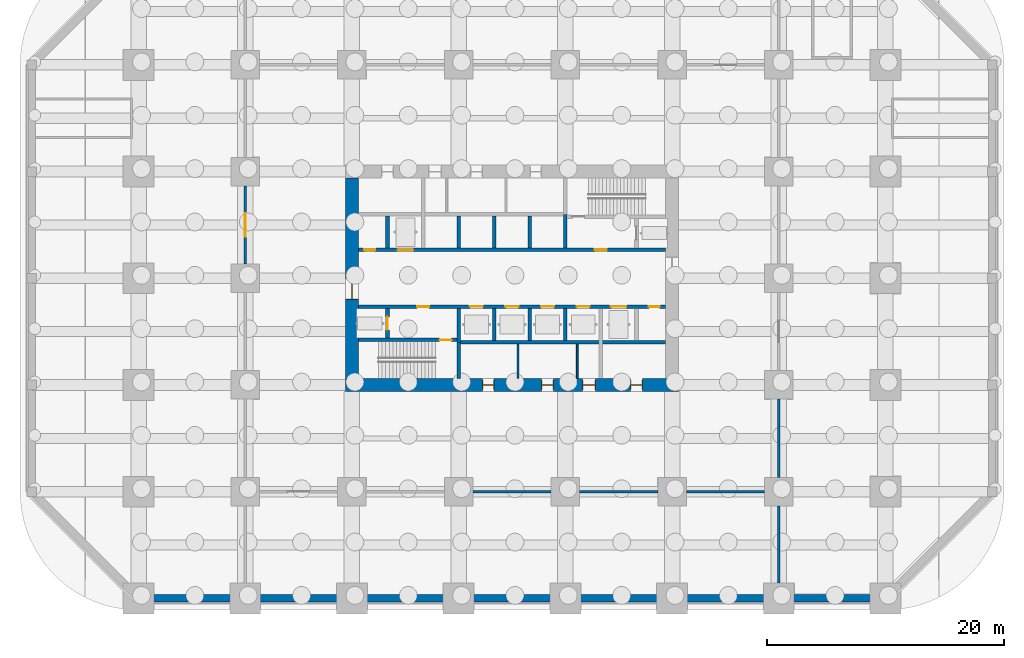
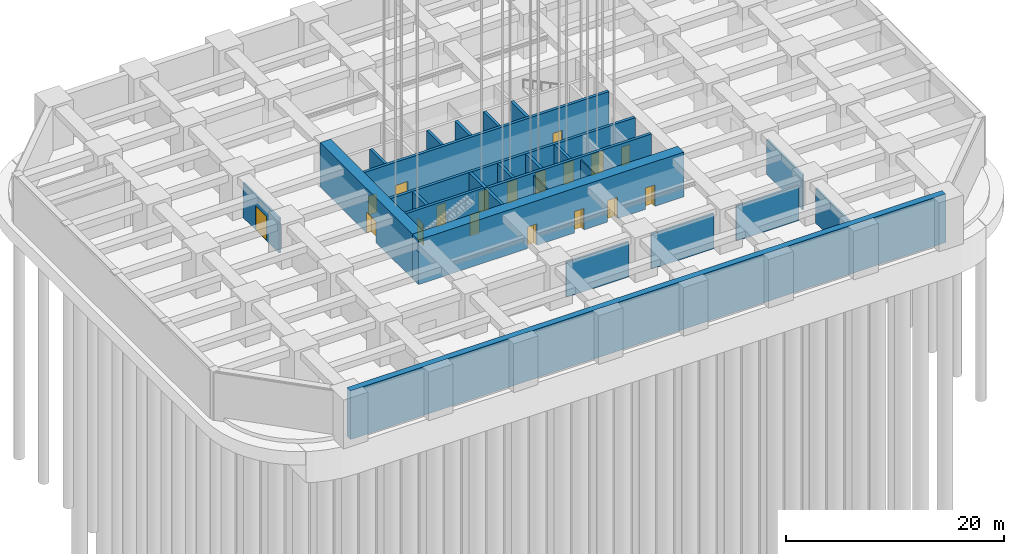
# One storey, part 4 of 24: 26 walls, 18 doors, 18 openings.
"""IFC4 building model written with IfcOpenShell, lengths in metres."""

from ifc_helpers import new_model, si_unit, direction, frame, frame_2d, origin, place, context, subcontext, project, spatial, rectangle, extrude, material, layer, layer_set, type_object, element, fill, save


model = new_model("IFC4")

# Units and contexts
model_context = context("Model", 3, precision=1e-05, world=origin(), true_north=direction((0.0, 1.0)))
body_context = subcontext(model_context, "Body", "Model", "MODEL_VIEW")
ifc_project = project(units=[si_unit("LENGTHUNIT", "METRE"), si_unit("AREAUNIT", "SQUARE_METRE"), si_unit("VOLUMEUNIT", "CUBIC_METRE"), si_unit("PLANEANGLEUNIT", "RADIAN"), si_unit("MASSUNIT", "GRAM", prefix="KILO")], contexts=[model_context])

# Site, building, storey
site_placement = place(None, origin())
site = spatial("IfcSite", under=ifc_project, at=site_placement, CompositionType="ELEMENT")
building_placement = place(site_placement, origin())
building = spatial("IfcBuilding", under=site, at=building_placement, Name="Zorevar Civic Tower", CompositionType="ELEMENT")
storey_placement = place(building_placement, frame((0.0, 0.0, -5.0)))
storey = spatial("IfcBuildingStorey", under=building, at=storey_placement, Name="B1", CompositionType="ELEMENT", Elevation=-5.0)

# Wall, opening, door
ifc_material_1 = material(Name="Concrete blockwork", Category="masonry")
ifc_layer_1 = layer(ifc_material_1, 0.199951171875)
ifc_layer_set_1 = layer_set([ifc_layer_1], Name="Blockwork wall 200")
wall_type_1 = type_object("IfcWallType", Name="Blockwork wall 200", PredefinedType="SOLIDWALL", material=ifc_layer_set_1)
wall_1_placement = place(storey_placement, frame((9.0, 28.199951171875, 0.0), z_axis=(0.0, 0.0, 1.0), x_axis=(0.0, 1.0, 0.0)))
wall_1 = element("IfcWall", 1, at=wall_1_placement, inside=storey, type_object=wall_type_1, Name="Blockwork wall 200 B1", PredefinedType="SOLIDWALL", context=body_context, shape_type="SweptSolid", body=[
    extrude(rectangle(XDim=6.60009765625, YDim=0.199951171875, at=frame_2d((3.300048828125, 0.0))), origin(), (0.0, 0.0, 1.0), 3.89990234375),
])
opening_1_placement = place(wall_1_placement, frame((2.300048828125, 0.0, 0.0)))
opening_1 = element("IfcOpeningElement", 2, at=opening_1_placement, cuts=wall_1, Name="Opening B1.17", PredefinedType="OPENING", context=body_context, shape_type="SweptSolid", body=[
    extrude(rectangle(XDim=2.0, YDim=2.699951171875, at=frame_2d((1.0, 1.35009765625))), frame((0.0, 0.10986328125, 0.0), z_axis=(0.0, -1.0, 0.0), x_axis=(1.0, 0.0, 0.0)), (0.0, 0.0, 1.0), 0.219970703125),
])
ifc_material_2 = material(Name="Steel door set", Category="steel")
door_type_1 = type_object("IfcDoorType", Name="Plant room door PD1 2000x2700", OperationType="DOUBLE_DOOR_SINGLE_SWING", PredefinedType="DOOR", material=ifc_material_2)
door_1_placement = place(opening_1_placement, origin())
door_1 = element("IfcDoor", 3, at=door_1_placement, inside=storey, type_object=door_type_1, Name="Door B1 D1", OperationType="DOUBLE_DOOR_SINGLE_SWING", OverallHeight=2.699951171875, OverallWidth=2.0, PredefinedType="DOOR", context=body_context, shape_type="SweptSolid", body=[
    extrude(rectangle(XDim=2.0, YDim=2.699951171875, at=frame_2d((1.0, 1.35009765625))), frame((0.0, 0.030029296875, 0.0), z_axis=(0.0, -1.0, 0.0), x_axis=(1.0, 0.0, 0.0)), (0.0, 0.0, 1.0), 0.06005859375),
])
fill(opening_1, door_1)

# Walls
wall_2_placement = place(storey_placement, frame((54.0, 1.300048828125, 0.0), z_axis=(0.0, 0.0, 1.0), x_axis=(0.0, 1.0, 0.0)))
element("IfcWall", 4, at=wall_2_placement, inside=storey, type_object=wall_type_1, Name="Blockwork wall 200 B1", PredefinedType="SOLIDWALL", context=body_context, shape_type="SweptSolid", body=[
    extrude(rectangle(XDim=6.5, YDim=0.199951171875, at=frame_2d((3.25, 0.0))), origin(), (0.0, 0.0, 1.0), 3.89990234375),
])
for number, where, z_axis, x_axis, name in (
    (5, (54.0, 10.199951171875, 0.0), (0.0, 0.0, 1.0), (0.0, 1.0, 0.0), "Blockwork wall 200 B1"),
    (6, (28.199951171875, 9.0, 0.0), (0.0, 0.0, 1.0), (1.0, 0.0, 0.0), "Blockwork wall 200 B1"),
    (7, (37.199951171875, 9.0, 0.0), (0.0, 0.0, 1.0), (1.0, 0.0, 0.0), "Blockwork wall 200 B1"),
    (8, (46.199951171875, 9.0, 0.0), (0.0, 0.0, 1.0), (1.0, 0.0, 0.0), "Blockwork wall 200 B1"),
):
    element("IfcWall", number, at=place(storey_placement, frame(where, z_axis=z_axis, x_axis=x_axis)), inside=storey, type_object=wall_type_1, Name=name, PredefinedType="SOLIDWALL", context=body_context, shape_type="SweptSolid", body=[
        extrude(rectangle(XDim=6.60009765625, YDim=0.199951171875, at=frame_2d((3.300048828125, 0.0))), origin(), (0.0, 0.0, 1.0), 3.89990234375),
    ])

# Wall, openings, doors
ifc_material_3 = material(Name="Concrete C50/60", Category="concrete")
ifc_layer_2 = layer(ifc_material_3, 1.10009765625)
ifc_layer_set_2 = layer_set([ifc_layer_2], Name="Core wall 1100")
wall_type_2 = type_object("IfcWallType", Name="Core wall 1100", PredefinedType="SHEAR", material=ifc_layer_set_2)
wall_3_placement = place(storey_placement, frame((17.449951171875, 18.0, 0.0), z_axis=(0.0, 0.0, 1.0), x_axis=(1.0, 0.0, 0.0)))
wall_3 = element("IfcWall", 9, at=wall_3_placement, inside=storey, type_object=wall_type_2, Name="Core wall S B1", PredefinedType="SHEAR", context=body_context, shape_type="SweptSolid", body=[
    extrude(rectangle(XDim=28.10009765625, YDim=1.10009765625, at=frame_2d((14.050048828125, 0.0))), origin(), (0.0, 0.0, 1.0), 5.0),
])
opening_2_placement = place(wall_3_placement, frame((11.550048828125, 0.0, 0.0)))
opening_2 = element("IfcOpeningElement", 10, at=opening_2_placement, cuts=wall_3, Name="Opening B1.03", PredefinedType="OPENING", context=body_context, shape_type="SweptSolid", body=[
    extrude(rectangle(XDim=1.0, YDim=2.39990234375, at=frame_2d((0.5, 1.199951171875))), frame((0.0, 0.56005859375, 0.0), z_axis=(0.0, -1.0, 0.0), x_axis=(1.0, 0.0, 0.0)), (0.0, 0.0, 1.0), 1.1201171875),
])
opening_3_placement = place(wall_3_placement, frame((16.550048828125, 0.0, 0.0)))
opening_3 = element("IfcOpeningElement", 11, at=opening_3_placement, cuts=wall_3, Name="Opening B1.04", PredefinedType="OPENING", context=body_context, shape_type="SweptSolid", body=[
    extrude(rectangle(XDim=1.0, YDim=2.39990234375, at=frame_2d((0.5, 1.199951171875))), frame((0.0, 0.56005859375, 0.0), z_axis=(0.0, -1.0, 0.0), x_axis=(1.0, 0.0, 0.0)), (0.0, 0.0, 1.0), 1.1201171875),
])
opening_4_placement = place(wall_3_placement, frame((20.0, 0.0, 0.0)))
opening_4 = element("IfcOpeningElement", 12, at=opening_4_placement, cuts=wall_3, Name="Opening B1.05", PredefinedType="OPENING", context=body_context, shape_type="SweptSolid", body=[
    extrude(rectangle(XDim=1.10009765625, YDim=2.39990234375, at=frame_2d((0.550048828125, 1.199951171875))), frame((0.0, 0.56005859375, 0.0), z_axis=(0.0, -1.0, 0.0), x_axis=(1.0, 0.0, 0.0)), (0.0, 0.0, 1.0), 1.1201171875),
])
opening_5_placement = place(wall_3_placement, frame((24.050048828125, 0.0, 0.0)))
opening_5 = element("IfcOpeningElement", 13, at=opening_5_placement, cuts=wall_3, Name="Opening B1.06", PredefinedType="OPENING", context=body_context, shape_type="SweptSolid", body=[
    extrude(rectangle(XDim=1.0, YDim=2.39990234375, at=frame_2d((0.5, 1.199951171875))), frame((0.0, 0.56005859375, 0.0), z_axis=(0.0, -1.0, 0.0), x_axis=(1.0, 0.0, 0.0)), (0.0, 0.0, 1.0), 1.1201171875),
])
ifc_material_4 = material(Name="Timber door set", Category="wood")
door_type_2 = type_object("IfcDoorType", Name="Door D1 1000x2400", OperationType="SINGLE_SWING_LEFT", PredefinedType="DOOR", material=ifc_material_4)
door_2_placement = place(opening_2_placement, origin())
door_2 = element("IfcDoor", 14, at=door_2_placement, inside=storey, type_object=door_type_2, Name="Door B1 02", OperationType="SINGLE_SWING_RIGHT", OverallHeight=2.39990234375, OverallWidth=1.0, PredefinedType="DOOR", context=body_context, shape_type="SweptSolid", body=[
    extrude(rectangle(XDim=1.0, YDim=2.39990234375, at=frame_2d((0.5, 1.199951171875))), frame((0.0, 0.02490234375, 0.0), z_axis=(0.0, -1.0, 0.0), x_axis=(1.0, 0.0, 0.0)), (0.0, 0.0, 1.0), 0.050048828125),
    extrude(rectangle(XDim=0.04, YDim=2.39990234375, at=frame_2d((0.02001953125, 1.199951171875))), frame((0.0, 0.39990234375, 0.0), z_axis=(0.0, -1.0, 0.0), x_axis=(1.0, 0.0, 0.0)), (0.0, 0.0, 1.0), 0.800048828125),
    extrude(rectangle(XDim=0.04, YDim=2.39990234375, at=frame_2d((0.97998046875, 1.199951171875))), frame((0.0, 0.39990234375, 0.0), z_axis=(0.0, -1.0, 0.0), x_axis=(1.0, 0.0, 0.0)), (0.0, 0.0, 1.0), 0.800048828125),
    extrude(rectangle(XDim=1.0, YDim=0.04, at=frame_2d((0.5, 2.3798828125))), frame((0.0, 0.39990234375, 0.0), z_axis=(0.0, -1.0, 0.0), x_axis=(1.0, 0.0, 0.0)), (0.0, 0.0, 1.0), 0.800048828125),
])
fill(opening_2, door_2)
door_3_placement = place(opening_3_placement, origin())
door_3 = element("IfcDoor", 15, at=door_3_placement, inside=storey, type_object=door_type_2, Name="Door B1 03", OperationType="SINGLE_SWING_LEFT", OverallHeight=2.39990234375, OverallWidth=1.0, PredefinedType="DOOR", context=body_context, shape_type="SweptSolid", body=[
    extrude(rectangle(XDim=1.0, YDim=2.39990234375, at=frame_2d((0.5, 1.199951171875))), frame((0.0, 0.02490234375, 0.0), z_axis=(0.0, -1.0, 0.0), x_axis=(1.0, 0.0, 0.0)), (0.0, 0.0, 1.0), 0.050048828125),
    extrude(rectangle(XDim=0.04, YDim=2.39990234375, at=frame_2d((0.02001953125, 1.199951171875))), frame((0.0, 0.39990234375, 0.0), z_axis=(0.0, -1.0, 0.0), x_axis=(1.0, 0.0, 0.0)), (0.0, 0.0, 1.0), 0.800048828125),
    extrude(rectangle(XDim=0.04, YDim=2.39990234375, at=frame_2d((0.97998046875, 1.199951171875))), frame((0.0, 0.39990234375, 0.0), z_axis=(0.0, -1.0, 0.0), x_axis=(1.0, 0.0, 0.0)), (0.0, 0.0, 1.0), 0.800048828125),
    extrude(rectangle(XDim=1.0, YDim=0.04, at=frame_2d((0.5, 2.3798828125))), frame((0.0, 0.39990234375, 0.0), z_axis=(0.0, -1.0, 0.0), x_axis=(1.0, 0.0, 0.0)), (0.0, 0.0, 1.0), 0.800048828125),
])
fill(opening_3, door_3)
door_4_placement = place(opening_5_placement, origin())
door_4 = element("IfcDoor", 16, at=door_4_placement, inside=storey, type_object=door_type_2, Name="Door B1 05", OperationType="SINGLE_SWING_LEFT", OverallHeight=2.39990234375, OverallWidth=1.0, PredefinedType="DOOR", context=body_context, shape_type="SweptSolid", body=[
    extrude(rectangle(XDim=1.0, YDim=2.39990234375, at=frame_2d((0.5, 1.199951171875))), frame((0.0, 0.02490234375, 0.0), z_axis=(0.0, -1.0, 0.0), x_axis=(1.0, 0.0, 0.0)), (0.0, 0.0, 1.0), 0.050048828125),
    extrude(rectangle(XDim=0.04, YDim=2.39990234375, at=frame_2d((0.02001953125, 1.199951171875))), frame((0.0, 0.39990234375, 0.0), z_axis=(0.0, -1.0, 0.0), x_axis=(1.0, 0.0, 0.0)), (0.0, 0.0, 1.0), 0.800048828125),
    extrude(rectangle(XDim=0.04, YDim=2.39990234375, at=frame_2d((0.97998046875, 1.199951171875))), frame((0.0, 0.39990234375, 0.0), z_axis=(0.0, -1.0, 0.0), x_axis=(1.0, 0.0, 0.0)), (0.0, 0.0, 1.0), 0.800048828125),
    extrude(rectangle(XDim=1.0, YDim=0.04, at=frame_2d((0.5, 2.3798828125))), frame((0.0, 0.39990234375, 0.0), z_axis=(0.0, -1.0, 0.0), x_axis=(1.0, 0.0, 0.0)), (0.0, 0.0, 1.0), 0.800048828125),
])
fill(opening_5, door_4)
ifc_material_5 = material(Name="Timber door set", Category="wood")
door_type_3 = type_object("IfcDoorType", Name="Door D5 1100x2400", OperationType="SINGLE_SWING_LEFT", PredefinedType="DOOR", material=ifc_material_5)
door_5_placement = place(opening_4_placement, origin())
door_5 = element("IfcDoor", 17, at=door_5_placement, inside=storey, type_object=door_type_3, Name="Door B1 04", OperationType="SINGLE_SWING_LEFT", OverallHeight=2.39990234375, OverallWidth=1.10009765625, PredefinedType="DOOR", context=body_context, shape_type="SweptSolid", body=[
    extrude(rectangle(XDim=1.10009765625, YDim=2.39990234375, at=frame_2d((0.550048828125, 1.199951171875))), frame((0.0, 0.02490234375, 0.0), z_axis=(0.0, -1.0, 0.0), x_axis=(1.0, 0.0, 0.0)), (0.0, 0.0, 1.0), 0.050048828125),
    extrude(rectangle(XDim=0.04, YDim=2.39990234375, at=frame_2d((0.02001953125, 1.199951171875))), frame((0.0, 0.43994140625, 0.0), z_axis=(0.0, -1.0, 0.0), x_axis=(1.0, 0.0, 0.0)), (0.0, 0.0, 1.0), 0.880126953125),
    extrude(rectangle(XDim=0.04, YDim=2.39990234375, at=frame_2d((1.080078125, 1.199951171875))), frame((0.0, 0.43994140625, 0.0), z_axis=(0.0, -1.0, 0.0), x_axis=(1.0, 0.0, 0.0)), (0.0, 0.0, 1.0), 0.880126953125),
    extrude(rectangle(XDim=1.10009765625, YDim=0.04, at=frame_2d((0.550048828125, 2.3798828125))), frame((0.0, 0.43994140625, 0.0), z_axis=(0.0, -1.0, 0.0), x_axis=(1.0, 0.0, 0.0)), (0.0, 0.0, 1.0), 0.880126953125),
])
fill(opening_4, door_5)

# Wall, opening, door
wall_4_placement = place(storey_placement, frame((18.0, 35.449951171875, 0.0), z_axis=(0.0, 0.0, 1.0), x_axis=(0.0, -1.0, 0.0)))
wall_4 = element("IfcWall", 18, at=wall_4_placement, inside=storey, type_object=wall_type_2, Name="Core wall W B1", PredefinedType="SHEAR", context=body_context, shape_type="SweptSolid", body=[
    extrude(rectangle(XDim=16.89990234375, YDim=1.10009765625, at=frame_2d((8.449951171875, 0.0))), origin(), (0.0, 0.0, 1.0), 5.0),
])
opening_6_placement = place(wall_4_placement, frame((8.449951171875, 0.0, 0.0)))
opening_6 = element("IfcOpeningElement", 19, at=opening_6_placement, cuts=wall_4, Name="Opening B1.01", PredefinedType="OPENING", context=body_context, shape_type="SweptSolid", body=[
    extrude(rectangle(XDim=1.800048828125, YDim=2.39990234375, at=frame_2d((0.89990234375, 1.199951171875))), frame((0.0, 0.56005859375, 0.0), z_axis=(0.0, -1.0, 0.0), x_axis=(1.0, 0.0, 0.0)), (0.0, 0.0, 1.0), 1.1201171875),
])
ifc_material_6 = material(Name="Steel door set", Category="steel")
door_type_4 = type_object("IfcDoorType", Name="Fire door FD2 1800x2400", OperationType="DOUBLE_DOOR_DOUBLE_SWING", PredefinedType="DOOR", material=ifc_material_6)
door_6_placement = place(opening_6_placement, origin())
door_6 = element("IfcDoor", 20, at=door_6_placement, inside=storey, type_object=door_type_4, Name="Door B1 00", OperationType="DOUBLE_DOOR_DOUBLE_SWING", OverallHeight=2.39990234375, OverallWidth=1.800048828125, PredefinedType="DOOR", context=body_context, shape_type="SweptSolid", body=[
    extrude(rectangle(XDim=1.800048828125, YDim=2.39990234375, at=frame_2d((0.89990234375, 1.199951171875))), frame((0.0, 0.030029296875, 0.0), z_axis=(0.0, -1.0, 0.0), x_axis=(1.0, 0.0, 0.0)), (0.0, 0.0, 1.0), 0.06005859375),
    extrude(rectangle(XDim=0.04, YDim=2.39990234375, at=frame_2d((0.02001953125, 1.199951171875))), frame((0.0, 0.5498046875, 0.0), z_axis=(0.0, -1.0, 0.0), x_axis=(1.0, 0.0, 0.0)), (0.0, 0.0, 1.0), 1.099609375),
    extrude(rectangle(XDim=0.04, YDim=2.39990234375, at=frame_2d((1.780029296875, 1.199951171875))), frame((0.0, 0.5498046875, 0.0), z_axis=(0.0, -1.0, 0.0), x_axis=(1.0, 0.0, 0.0)), (0.0, 0.0, 1.0), 1.099609375),
    extrude(rectangle(XDim=1.800048828125, YDim=0.04, at=frame_2d((0.89990234375, 2.3798828125))), frame((0.0, 0.5498046875, 0.0), z_axis=(0.0, -1.0, 0.0), x_axis=(1.0, 0.0, 0.0)), (0.0, 0.0, 1.0), 1.099609375),
])
fill(opening_6, door_6)

ifc_material_7 = material(Name="Concrete C40/50", Category="concrete")
ifc_layer_3 = layer(ifc_material_7, 0.300048828125)
ifc_layer_set_3 = layer_set([ifc_layer_3], Name="Inner core wall 300")
wall_type_3 = type_object("IfcWallType", Name="Inner core wall 300", PredefinedType="SHEAR", material=ifc_layer_set_3)
wall_5_placement = place(storey_placement, frame((18.550048828125, 21.800048828125, 0.0), z_axis=(0.0, 0.0, 1.0), x_axis=(1.0, 0.0, 0.0)))
wall_5 = element("IfcWall", 21, at=wall_5_placement, inside=storey, type_object=wall_type_3, Name="Inner core wall S00 B1", PredefinedType="SHEAR", context=body_context, shape_type="SweptSolid", body=[
    extrude(rectangle(XDim=8.300048828125, YDim=0.300048828125, at=frame_2d((4.14990234375, 0.0))), origin(), (0.0, 0.0, 1.0), 5.0),
])
opening_7_placement = place(wall_5_placement, frame((6.85009765625, 0.0, 0.0)))
opening_7 = element("IfcOpeningElement", 22, at=opening_7_placement, cuts=wall_5, Name="Opening B1.11", PredefinedType="OPENING", context=body_context, shape_type="SweptSolid", body=[
    extrude(rectangle(XDim=1.0, YDim=2.39990234375, at=frame_2d((0.5, 1.199951171875))), frame((0.0, 0.159912109375, 0.0), z_axis=(0.0, -1.0, 0.0), x_axis=(1.0, 0.0, 0.0)), (0.0, 0.0, 1.0), 0.320068359375),
])
ifc_material_8 = material(Name="Steel door set", Category="steel")
door_type_5 = type_object("IfcDoorType", Name="Fire door FD1 1000x2400", OperationType="SINGLE_SWING_LEFT", PredefinedType="DOOR", material=ifc_material_8)
door_7_placement = place(opening_7_placement, origin())
door_7 = element("IfcDoor", 23, at=door_7_placement, inside=storey, type_object=door_type_5, Name="Door B1 10", OperationType="SINGLE_SWING_RIGHT", OverallHeight=2.39990234375, OverallWidth=1.0, PredefinedType="DOOR", context=body_context, shape_type="SweptSolid", body=[
    extrude(rectangle(XDim=1.0, YDim=2.39990234375, at=frame_2d((0.5, 1.199951171875))), frame((0.0, 0.030029296875, 0.0), z_axis=(0.0, -1.0, 0.0), x_axis=(1.0, 0.0, 0.0)), (0.0, 0.0, 1.0), 0.06005859375),
])
fill(opening_7, door_7)

# Wall
wall_6_placement = place(storey_placement, frame((27.0, 18.550048828125, 0.0), z_axis=(0.0, 0.0, 1.0), x_axis=(0.0, 1.0, 0.0)))
element("IfcWall", 24, at=wall_6_placement, inside=storey, type_object=wall_type_3, Name="Inner core wall S01 B1", PredefinedType="SHEAR", context=body_context, shape_type="SweptSolid", body=[
    extrude(rectangle(XDim=3.050048828125, YDim=0.300048828125, at=frame_2d((1.52490234375, 0.0))), origin(), (0.0, 0.0, 1.0), 5.0),
])

# Wall, opening, door
wall_7_placement = place(storey_placement, frame((21.0, 21.949951171875, 0.0), z_axis=(0.0, 0.0, 1.0), x_axis=(0.0, 1.0, 0.0)))
wall_7 = element("IfcWall", 25, at=wall_7_placement, inside=storey, type_object=wall_type_3, Name="Inner core wall S02 B1", PredefinedType="SHEAR", context=body_context, shape_type="SweptSolid", body=[
    extrude(rectangle(XDim=2.5, YDim=0.300048828125, at=frame_2d((1.25, 0.0))), origin(), (0.0, 0.0, 1.0), 5.0),
])
opening_8_placement = place(wall_7_placement, frame((0.699951171875, 0.0, 0.0)))
opening_8 = element("IfcOpeningElement", 26, at=opening_8_placement, cuts=wall_7, Name="Opening B1.FL1", PredefinedType="OPENING", context=body_context, shape_type="SweptSolid", body=[
    extrude(rectangle(XDim=1.10009765625, YDim=2.39990234375, at=frame_2d((0.550048828125, 1.199951171875))), frame((0.0, 0.159912109375, 0.0), z_axis=(0.0, -1.0, 0.0), x_axis=(1.0, 0.0, 0.0)), (0.0, 0.0, 1.0), 0.320068359375),
])
ifc_material_9 = material(Name="Steel door set", Category="steel")
door_type_6 = type_object("IfcDoorType", Name="Firefighting lift landing door LD3 1100x2400", OperationType="DOUBLE_DOOR_SLIDING", PredefinedType="DOOR", material=ifc_material_9)
door_8_placement = place(opening_8_placement, origin())
door_8 = element("IfcDoor", 27, at=door_8_placement, inside=storey, type_object=door_type_6, Name="Landing door FL1 B1", OperationType="DOUBLE_DOOR_SLIDING", OverallHeight=2.39990234375, OverallWidth=1.10009765625, PredefinedType="DOOR", context=body_context, shape_type="SweptSolid", body=[
    extrude(rectangle(XDim=1.10009765625, YDim=2.39990234375, at=frame_2d((0.550048828125, 1.199951171875))), frame((0.0, 0.030029296875, 0.0), z_axis=(0.0, -1.0, 0.0), x_axis=(1.0, 0.0, 0.0)), (0.0, 0.0, 1.0), 0.06005859375),
])
fill(opening_8, door_8)

# Wall, openings, doors
wall_8_placement = place(storey_placement, frame((18.550048828125, 24.60009765625, 0.0), z_axis=(0.0, 0.0, 1.0), x_axis=(1.0, 0.0, 0.0)))
wall_8 = element("IfcWall", 28, at=wall_8_placement, inside=storey, type_object=wall_type_3, Name="Inner core wall S03 B1", PredefinedType="SHEAR", context=body_context, shape_type="SweptSolid", body=[
    extrude(rectangle(XDim=25.89990234375, YDim=0.300048828125, at=frame_2d((12.949951171875, 0.0))), origin(), (0.0, 0.0, 1.0), 5.0),
])
opening_9_placement = place(wall_8_placement, frame((4.949951171875, 0.0, 0.0)))
opening_9 = element("IfcOpeningElement", 29, at=opening_9_placement, cuts=wall_8, Name="Opening B1.13", PredefinedType="OPENING", context=body_context, shape_type="SweptSolid", body=[
    extrude(rectangle(XDim=1.0, YDim=2.39990234375, at=frame_2d((0.5, 1.199951171875))), frame((0.0, 0.159912109375, 0.0), z_axis=(0.0, -1.0, 0.0), x_axis=(1.0, 0.0, 0.0)), (0.0, 0.0, 1.0), 0.320068359375),
])
opening_10_placement = place(wall_8_placement, frame((24.5, 0.0, 0.0)))
opening_10 = element("IfcOpeningElement", 30, at=opening_10_placement, cuts=wall_8, Name="Opening B1.15", PredefinedType="OPENING", context=body_context, shape_type="SweptSolid", body=[
    extrude(rectangle(XDim=0.89990234375, YDim=2.10009765625, at=frame_2d((0.449951171875, 1.050048828125))), frame((0.0, 0.159912109375, 0.0), z_axis=(0.0, -1.0, 0.0), x_axis=(1.0, 0.0, 0.0)), (0.0, 0.0, 1.0), 0.320068359375),
])
opening_11_placement = place(wall_8_placement, frame((9.39990234375, 0.0, 0.0)))
opening_11 = element("IfcOpeningElement", 31, at=opening_11_placement, cuts=wall_8, Name="Opening B1.LP1", PredefinedType="OPENING", context=body_context, shape_type="SweptSolid", body=[
    extrude(rectangle(XDim=1.10009765625, YDim=2.39990234375, at=frame_2d((0.550048828125, 1.199951171875))), frame((0.0, 0.159912109375, 0.0), z_axis=(0.0, -1.0, 0.0), x_axis=(1.0, 0.0, 0.0)), (0.0, 0.0, 1.0), 0.320068359375),
])
opening_12_placement = place(wall_8_placement, frame((12.39990234375, 0.0, 0.0)))
opening_12 = element("IfcOpeningElement", 32, at=opening_12_placement, cuts=wall_8, Name="Opening B1.LP2", PredefinedType="OPENING", context=body_context, shape_type="SweptSolid", body=[
    extrude(rectangle(XDim=1.10009765625, YDim=2.39990234375, at=frame_2d((0.550048828125, 1.199951171875))), frame((0.0, 0.159912109375, 0.0), z_axis=(0.0, -1.0, 0.0), x_axis=(1.0, 0.0, 0.0)), (0.0, 0.0, 1.0), 0.320068359375),
])
opening_13_placement = place(wall_8_placement, frame((15.39990234375, 0.0, 0.0)))
opening_13 = element("IfcOpeningElement", 33, at=opening_13_placement, cuts=wall_8, Name="Opening B1.LP3", PredefinedType="OPENING", context=body_context, shape_type="SweptSolid", body=[
    extrude(rectangle(XDim=1.10009765625, YDim=2.39990234375, at=frame_2d((0.550048828125, 1.199951171875))), frame((0.0, 0.159912109375, 0.0), z_axis=(0.0, -1.0, 0.0), x_axis=(1.0, 0.0, 0.0)), (0.0, 0.0, 1.0), 0.320068359375),
])
opening_14_placement = place(wall_8_placement, frame((18.39990234375, 0.0, 0.0)))
opening_14 = element("IfcOpeningElement", 34, at=opening_14_placement, cuts=wall_8, Name="Opening B1.LP4", PredefinedType="OPENING", context=body_context, shape_type="SweptSolid", body=[
    extrude(rectangle(XDim=1.10009765625, YDim=2.39990234375, at=frame_2d((0.550048828125, 1.199951171875))), frame((0.0, 0.159912109375, 0.0), z_axis=(0.0, -1.0, 0.0), x_axis=(1.0, 0.0, 0.0)), (0.0, 0.0, 1.0), 0.320068359375),
])
opening_15_placement = place(wall_8_placement, frame((21.300048828125, 0.0, 0.0)))
opening_15 = element("IfcOpeningElement", 35, at=opening_15_placement, cuts=wall_8, Name="Opening B1.SL1", PredefinedType="OPENING", context=body_context, shape_type="SweptSolid", body=[
    extrude(rectangle(XDim=1.300048828125, YDim=2.39990234375, at=frame_2d((0.64990234375, 1.199951171875))), frame((0.0, 0.159912109375, 0.0), z_axis=(0.0, -1.0, 0.0), x_axis=(1.0, 0.0, 0.0)), (0.0, 0.0, 1.0), 0.320068359375),
])
door_9_placement = place(opening_9_placement, origin())
door_9 = element("IfcDoor", 36, at=door_9_placement, inside=storey, type_object=door_type_5, Name="Door B1 12", OperationType="SINGLE_SWING_RIGHT", OverallHeight=2.39990234375, OverallWidth=1.0, PredefinedType="DOOR", context=body_context, shape_type="SweptSolid", body=[
    extrude(rectangle(XDim=1.0, YDim=2.39990234375, at=frame_2d((0.5, 1.199951171875))), frame((0.0, 0.030029296875, 0.0), z_axis=(0.0, -1.0, 0.0), x_axis=(1.0, 0.0, 0.0)), (0.0, 0.0, 1.0), 0.06005859375),
])
fill(opening_9, door_9)
ifc_material_10 = material(Name="Steel door set", Category="steel")
door_type_7 = type_object("IfcDoorType", Name="Landing door LD1 1100x2400", OperationType="DOUBLE_DOOR_SLIDING", PredefinedType="DOOR", material=ifc_material_10)
door_10_placement = place(opening_11_placement, origin())
door_10 = element("IfcDoor", 37, at=door_10_placement, inside=storey, type_object=door_type_7, Name="Landing door LP1 B1", OperationType="DOUBLE_DOOR_SLIDING", OverallHeight=2.39990234375, OverallWidth=1.10009765625, PredefinedType="DOOR", context=body_context, shape_type="SweptSolid", body=[
    extrude(rectangle(XDim=1.10009765625, YDim=2.39990234375, at=frame_2d((0.550048828125, 1.199951171875))), frame((0.0, 0.02001953125, 0.0), z_axis=(0.0, -1.0, 0.0), x_axis=(1.0, 0.0, 0.0)), (0.0, 0.0, 1.0), 0.0400390625),
])
fill(opening_11, door_10)
door_11_placement = place(opening_12_placement, origin())
door_11 = element("IfcDoor", 38, at=door_11_placement, inside=storey, type_object=door_type_7, Name="Landing door LP2 B1", OperationType="DOUBLE_DOOR_SLIDING", OverallHeight=2.39990234375, OverallWidth=1.10009765625, PredefinedType="DOOR", context=body_context, shape_type="SweptSolid", body=[
    extrude(rectangle(XDim=1.10009765625, YDim=2.39990234375, at=frame_2d((0.550048828125, 1.199951171875))), frame((0.0, 0.02001953125, 0.0), z_axis=(0.0, -1.0, 0.0), x_axis=(1.0, 0.0, 0.0)), (0.0, 0.0, 1.0), 0.0400390625),
])
fill(opening_12, door_11)
door_12_placement = place(opening_13_placement, origin())
door_12 = element("IfcDoor", 39, at=door_12_placement, inside=storey, type_object=door_type_7, Name="Landing door LP3 B1", OperationType="DOUBLE_DOOR_SLIDING", OverallHeight=2.39990234375, OverallWidth=1.10009765625, PredefinedType="DOOR", context=body_context, shape_type="SweptSolid", body=[
    extrude(rectangle(XDim=1.10009765625, YDim=2.39990234375, at=frame_2d((0.550048828125, 1.199951171875))), frame((0.0, 0.02001953125, 0.0), z_axis=(0.0, -1.0, 0.0), x_axis=(1.0, 0.0, 0.0)), (0.0, 0.0, 1.0), 0.0400390625),
])
fill(opening_13, door_12)
door_13_placement = place(opening_14_placement, origin())
door_13 = element("IfcDoor", 40, at=door_13_placement, inside=storey, type_object=door_type_7, Name="Landing door LP4 B1", OperationType="DOUBLE_DOOR_SLIDING", OverallHeight=2.39990234375, OverallWidth=1.10009765625, PredefinedType="DOOR", context=body_context, shape_type="SweptSolid", body=[
    extrude(rectangle(XDim=1.10009765625, YDim=2.39990234375, at=frame_2d((0.550048828125, 1.199951171875))), frame((0.0, 0.02001953125, 0.0), z_axis=(0.0, -1.0, 0.0), x_axis=(1.0, 0.0, 0.0)), (0.0, 0.0, 1.0), 0.0400390625),
])
fill(opening_14, door_13)
ifc_material_11 = material(Name="Steel door set", Category="steel")
door_type_8 = type_object("IfcDoorType", Name="Landing door LD2 1300x2400", OperationType="DOUBLE_DOOR_SLIDING", PredefinedType="DOOR", material=ifc_material_11)
door_14_placement = place(opening_15_placement, origin())
door_14 = element("IfcDoor", 41, at=door_14_placement, inside=storey, type_object=door_type_8, Name="Landing door SL1 B1", OperationType="DOUBLE_DOOR_SLIDING", OverallHeight=2.39990234375, OverallWidth=1.300048828125, PredefinedType="DOOR", context=body_context, shape_type="SweptSolid", body=[
    extrude(rectangle(XDim=1.300048828125, YDim=2.39990234375, at=frame_2d((0.64990234375, 1.199951171875))), frame((0.0, 0.02001953125, 0.0), z_axis=(0.0, -1.0, 0.0), x_axis=(1.0, 0.0, 0.0)), (0.0, 0.0, 1.0), 0.0400390625),
])
fill(opening_15, door_14)
ifc_material_12 = material(Name="Steel door set", Category="steel")
door_type_9 = type_object("IfcDoorType", Name="Riser door RD1 900x2100", OperationType="SINGLE_SWING_LEFT", PredefinedType="DOOR", material=ifc_material_12)
door_15_placement = place(opening_10_placement, origin())
door_15 = element("IfcDoor", 42, at=door_15_placement, inside=storey, type_object=door_type_9, Name="Door B1 14", OperationType="SINGLE_SWING_RIGHT", OverallHeight=2.10009765625, OverallWidth=0.89990234375, PredefinedType="DOOR", context=body_context, shape_type="SweptSolid", body=[
    extrude(rectangle(XDim=0.89990234375, YDim=2.10009765625, at=frame_2d((0.449951171875, 1.050048828125))), frame((0.0, 0.030029296875, 0.0), z_axis=(0.0, -1.0, 0.0), x_axis=(1.0, 0.0, 0.0)), (0.0, 0.0, 1.0), 0.06005859375),
])
fill(opening_10, door_15)

wall_9_placement = place(storey_placement, frame((18.550048828125, 29.39990234375, 0.0), z_axis=(0.0, 0.0, 1.0), x_axis=(1.0, 0.0, 0.0)))
wall_9 = element("IfcWall", 43, at=wall_9_placement, inside=storey, type_object=wall_type_3, Name="Inner core wall N03 B1", PredefinedType="SHEAR", context=body_context, shape_type="SweptSolid", body=[
    extrude(rectangle(XDim=25.89990234375, YDim=0.300048828125, at=frame_2d((12.949951171875, 0.0))), origin(), (0.0, 0.0, 1.0), 5.0),
])
opening_16_placement = place(wall_9_placement, frame((19.949951171875, 0.0, 0.0)))
opening_16 = element("IfcOpeningElement", 44, at=opening_16_placement, cuts=wall_9, Name="Opening B1.14", PredefinedType="OPENING", context=body_context, shape_type="SweptSolid", body=[
    extrude(rectangle(XDim=1.0, YDim=2.39990234375, at=frame_2d((0.5, 1.199951171875))), frame((0.0, 0.159912109375, 0.0), z_axis=(0.0, -1.0, 0.0), x_axis=(1.0, 0.0, 0.0)), (0.0, 0.0, 1.0), 0.320068359375),
])
opening_17_placement = place(wall_9_placement, frame((0.5, 0.0, 0.0)))
opening_17 = element("IfcOpeningElement", 45, at=opening_17_placement, cuts=wall_9, Name="Opening B1.16", PredefinedType="OPENING", context=body_context, shape_type="SweptSolid", body=[
    extrude(rectangle(XDim=0.89990234375, YDim=2.10009765625, at=frame_2d((0.449951171875, 1.050048828125))), frame((0.0, 0.159912109375, 0.0), z_axis=(0.0, -1.0, 0.0), x_axis=(1.0, 0.0, 0.0)), (0.0, 0.0, 1.0), 0.320068359375),
])
opening_18_placement = place(wall_9_placement, frame((3.300048828125, 0.0, 0.0)))
opening_18 = element("IfcOpeningElement", 46, at=opening_18_placement, cuts=wall_9, Name="Opening B1.SL2", PredefinedType="OPENING", context=body_context, shape_type="SweptSolid", body=[
    extrude(rectangle(XDim=1.300048828125, YDim=2.39990234375, at=frame_2d((0.64990234375, 1.199951171875))), frame((0.0, 0.159912109375, 0.0), z_axis=(0.0, -1.0, 0.0), x_axis=(1.0, 0.0, 0.0)), (0.0, 0.0, 1.0), 0.320068359375),
])
door_16_placement = place(opening_16_placement, origin())
door_16 = element("IfcDoor", 47, at=door_16_placement, inside=storey, type_object=door_type_5, Name="Door B1 13", OperationType="SINGLE_SWING_RIGHT", OverallHeight=2.39990234375, OverallWidth=1.0, PredefinedType="DOOR", context=body_context, shape_type="SweptSolid", body=[
    extrude(rectangle(XDim=1.0, YDim=2.39990234375, at=frame_2d((0.5, 1.199951171875))), frame((0.0, 0.030029296875, 0.0), z_axis=(0.0, -1.0, 0.0), x_axis=(1.0, 0.0, 0.0)), (0.0, 0.0, 1.0), 0.06005859375),
])
fill(opening_16, door_16)
door_17_placement = place(opening_18_placement, origin())
door_17 = element("IfcDoor", 48, at=door_17_placement, inside=storey, type_object=door_type_8, Name="Landing door SL2 B1", OperationType="DOUBLE_DOOR_SLIDING", OverallHeight=2.39990234375, OverallWidth=1.300048828125, PredefinedType="DOOR", context=body_context, shape_type="SweptSolid", body=[
    extrude(rectangle(XDim=1.300048828125, YDim=2.39990234375, at=frame_2d((0.64990234375, 1.199951171875))), frame((0.0, 0.02001953125, 0.0), z_axis=(0.0, -1.0, 0.0), x_axis=(1.0, 0.0, 0.0)), (0.0, 0.0, 1.0), 0.0400390625),
])
fill(opening_18, door_17)
door_18_placement = place(opening_17_placement, origin())
door_18 = element("IfcDoor", 49, at=door_18_placement, inside=storey, type_object=door_type_9, Name="Door B1 15", OperationType="SINGLE_SWING_RIGHT", OverallHeight=2.10009765625, OverallWidth=0.89990234375, PredefinedType="DOOR", context=body_context, shape_type="SweptSolid", body=[
    extrude(rectangle(XDim=0.89990234375, YDim=2.10009765625, at=frame_2d((0.449951171875, 1.050048828125))), frame((0.0, 0.030029296875, 0.0), z_axis=(0.0, -1.0, 0.0), x_axis=(1.0, 0.0, 0.0)), (0.0, 0.0, 1.0), 0.06005859375),
])
fill(opening_17, door_18)

# Walls
wall_10_placement = place(storey_placement, frame((27.14990234375, 21.60009765625, 0.0), z_axis=(0.0, 0.0, 1.0), x_axis=(1.0, 0.0, 0.0)))
element("IfcWall", 50, at=wall_10_placement, inside=storey, type_object=wall_type_3, Name="Inner core wall S04 B1", PredefinedType="SHEAR", context=body_context, shape_type="SweptSolid", body=[
    extrude(rectangle(XDim=17.300048828125, YDim=0.300048828125, at=frame_2d((8.64990234375, 0.0))), origin(), (0.0, 0.0, 1.0), 5.0),
])
for number, where, z_axis, x_axis, name in (
    (51, (30.0, 21.75, 0.0), (0.0, 0.0, 1.0), (0.0, 1.0, 0.0), "Inner core wall S05 B1"),
    (52, (33.0, 29.550048828125, 0.0), (0.0, 0.0, 1.0), (0.0, 1.0, 0.0), "Inner core wall N05 B1"),
    (53, (33.0, 21.75, 0.0), (0.0, 0.0, 1.0), (0.0, 1.0, 0.0), "Inner core wall S06 B1"),
    (54, (30.0, 29.550048828125, 0.0), (0.0, 0.0, 1.0), (0.0, 1.0, 0.0), "Inner core wall N06 B1"),
    (55, (36.0, 21.75, 0.0), (0.0, 0.0, 1.0), (0.0, 1.0, 0.0), "Inner core wall S07 B1"),
    (56, (27.0, 29.550048828125, 0.0), (0.0, 0.0, 1.0), (0.0, 1.0, 0.0), "Inner core wall N07 B1"),
    (57, (21.0, 29.550048828125, 0.0), (0.0, 0.0, 1.0), (0.0, 1.0, 0.0), "Inner core wall N09 B1"),
):
    element("IfcWall", number, at=place(storey_placement, frame(where, z_axis=z_axis, x_axis=x_axis)), inside=storey, type_object=wall_type_3, Name=name, PredefinedType="SHEAR", context=body_context, shape_type="SweptSolid", body=[
        extrude(rectangle(XDim=2.699951171875, YDim=0.300048828125, at=frame_2d((1.35009765625, 0.0))), origin(), (0.0, 0.0, 1.0), 5.0),
    ])
for number, where, z_axis, x_axis, name in (
    (58, (27.0, 21.60009765625, 0.0), (0.0, 0.0, 1.0), (0.0, 1.0, 0.0), "Inner core wall S10 B1"),
    (59, (36.0, 29.550048828125, 0.0), (0.0, 0.0, 1.0), (0.0, 1.0, 0.0), "Inner core wall N10 B1"),
):
    element("IfcWall", number, at=place(storey_placement, frame(where, z_axis=z_axis, x_axis=x_axis)), inside=storey, type_object=wall_type_3, Name=name, PredefinedType="SHEAR", context=body_context, shape_type="SweptSolid", body=[
        extrude(rectangle(XDim=2.849853515625, YDim=0.300048828125, at=frame_2d((1.4248046875, 0.0))), origin(), (0.0, 0.0, 1.0), 5.0),
    ])
ifc_material_13 = material(Name="Concrete C40/50", Category="concrete")
ifc_layer_4 = layer(ifc_material_13, 0.64990234375)
ifc_layer_set_4 = layer_set([ifc_layer_4], Name="Retaining wall 650")
wall_type_4 = type_object("IfcWallType", Name="Retaining wall 650", PredefinedType="SOLIDWALL", material=ifc_layer_set_4)
wall_11_placement = place(storey_placement, frame((0.0, 0.0, -0.449951171875), z_axis=(0.0, 0.0, 1.0), x_axis=(1.0, 0.0, 0.0)))
element("IfcWall", 60, at=wall_11_placement, inside=storey, type_object=wall_type_4, Name="Retaining wall 1", PredefinedType="SOLIDWALL", context=body_context, shape_type="SweptSolid", body=[
    extrude(rectangle(XDim=63.0, YDim=0.64990234375, at=frame_2d((31.5, 0.0))), origin(), (0.0, 0.0, 1.0), 5.449951171875),
])
ifc_material_14 = material(Name="Gypsum board on steel studs, moisture resistant", Category="steel")
ifc_layer_5 = layer(ifc_material_14, 0.14990234375)
ifc_layer_set_5 = layer_set([ifc_layer_5], Name="WC partition 150")
wall_type_5 = type_object("IfcWallType", Name="WC partition 150", PredefinedType="PARTITIONING", material=ifc_layer_set_5)
for number, where, z_axis, x_axis, name in (
    (61, (32.0, 18.550048828125, 0.0), (0.0, 0.0, 1.0), (0.0, 1.0, 0.0), "WC partition B1"),
    (62, (37.0, 18.550048828125, 0.0), (0.0, 0.0, 1.0), (0.0, 1.0, 0.0), "WC partition B1"),
):
    element("IfcWall", number, at=place(storey_placement, frame(where, z_axis=z_axis, x_axis=x_axis)), inside=storey, type_object=wall_type_5, Name=name, PredefinedType="PARTITIONING", context=body_context, shape_type="SweptSolid", body=[
        extrude(rectangle(XDim=2.89990234375, YDim=0.14990234375, at=frame_2d((1.449951171875, 0.0))), origin(), (0.0, 0.0, 1.0), 4.699951171875),
    ])

save(model, "model.ifc")
